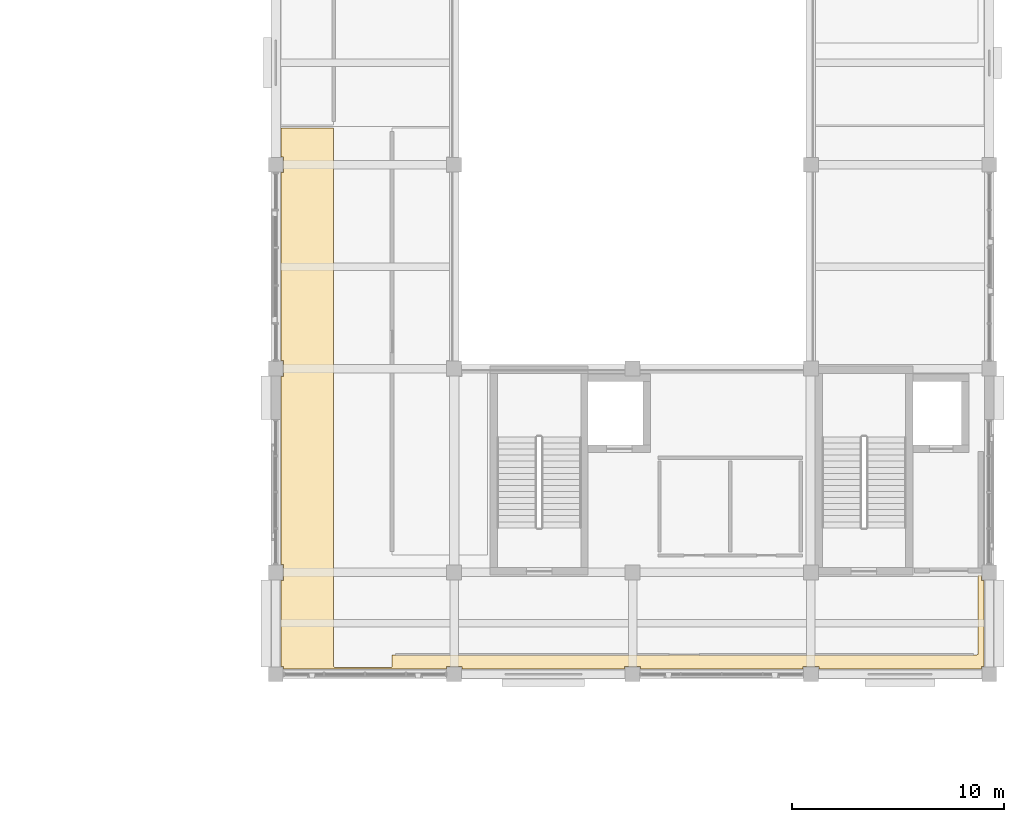
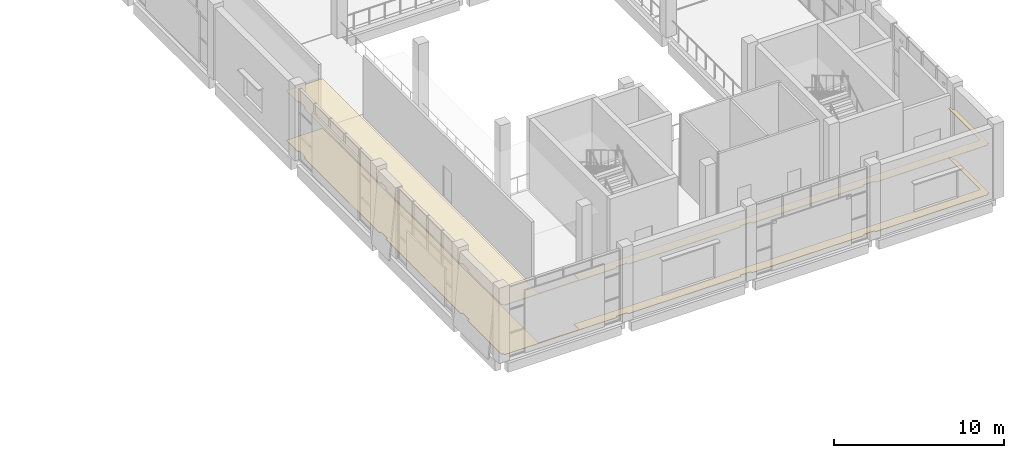
# One storey, part 69 of 72: 2 coverings.
"""IFC4 building model written with IfcOpenShell, lengths in metres."""

from ifc_helpers import new_model, si_unit, direction, frame, origin, place, context, subcontext, project, spatial, polyline, outline, extrude, material, layer, layer_set, type_object, element, save


model = new_model("IFC4")

# Units and contexts
model_context = context("Model", 3, precision=1e-05, world=origin(), true_north=direction((0.0, 1.0)))
body_context = subcontext(model_context, "Body", "Model", "MODEL_VIEW")
ifc_project = project(units=[si_unit("LENGTHUNIT", "METRE"), si_unit("AREAUNIT", "SQUARE_METRE"), si_unit("VOLUMEUNIT", "CUBIC_METRE"), si_unit("PLANEANGLEUNIT", "RADIAN"), si_unit("MASSUNIT", "GRAM", prefix="KILO")], contexts=[model_context])

# Site, building, storey
site_placement = place(None, origin())
site = spatial("IfcSite", under=ifc_project, at=site_placement, CompositionType="ELEMENT")
building_placement = place(site_placement, origin())
building = spatial("IfcBuilding", under=site, at=building_placement, Name="Shalvenor Court Art Gallery", CompositionType="ELEMENT")
storey_placement = place(building_placement, frame((0.0, 0.0, 11.39990234375)))
storey = spatial("IfcBuildingStorey", under=building, at=storey_placement, Name="L02", CompositionType="ELEMENT", Elevation=11.39990234375)

# Coverings
ifc_material_1 = material(Name="Perforated acoustic gypsum gallery ceiling", Category="other")
ifc_layer_1 = layer(ifc_material_1, 0.044921875, Name="Perforated acoustic gypsum gallery ceiling")
ifc_layer_set_1 = layer_set([ifc_layer_1], Name="Perforated acoustic gypsum gallery ceiling")
covering_type_1 = type_object("IfcCoveringType", Name="CLG-01", PredefinedType="CEILING", material=ifc_layer_set_1)
covering_1_placement = place(storey_placement, frame((0.0, 0.0, 3.550048828125)))
element("IfcCovering", 1, at=covering_1_placement, inside=storey, type_object=covering_type_1, Name="L02 Permanent Painting Gallery Acoustic Ceiling", PredefinedType="CEILING", context=body_context, shape_type="SweptSolid", body=[
    extrude(outline(polyline([(145.5205078125, 45.9921875), (145.521484375, 45.984375), (145.5234375, 45.976806640625), (145.526123046875, 45.969482421875), (145.529296875, 45.96240234375), (145.533447265625, 45.95556640625), (145.5380859375, 45.94921875), (145.54345703125, 45.943359375), (145.54931640625, 45.938232421875), (145.5556640625, 45.93359375), (145.562255859375, 45.929443359375), (145.5693359375, 45.926025390625), (145.576904296875, 45.92333984375), (145.58447265625, 45.92138671875), (145.59228515625, 45.92041015625), (145.60009765625, 45.919921875), (148.199951171875, 45.919921875), (148.207763671875, 45.92041015625), (148.215576171875, 45.92138671875), (148.22314453125, 45.92333984375), (148.230712890625, 45.926025390625), (148.23779296875, 45.929443359375), (148.244384765625, 45.93359375), (148.250732421875, 45.938232421875), (148.256591796875, 45.943359375), (148.26171875, 45.94921875), (148.2666015625, 45.95556640625), (148.2705078125, 45.96240234375), (148.27392578125, 45.969482421875), (148.276611328125, 45.976806640625), (148.278564453125, 45.984375), (148.279541015625, 45.9921875), (148.280029296875, 46.0), (148.280029296875, 46.52001953125), (175.800048828125, 46.52001953125), (175.807861328125, 46.5205078125), (175.815673828125, 46.521484375), (175.8232421875, 46.5234375), (175.83056640625, 46.526123046875), (175.837646484375, 46.529296875), (175.844482421875, 46.533447265625), (175.850830078125, 46.5380859375), (175.856689453125, 46.54345703125), (175.86181640625, 46.54931640625), (175.866455078125, 46.5556640625), (175.87060546875, 46.562255859375), (175.873779296875, 46.5693359375), (175.876708984375, 46.576904296875), (175.87841796875, 46.58447265625), (175.879638671875, 46.59228515625), (175.8798828125, 46.60009765625), (175.8798828125, 50.280029296875), (176.0, 50.280029296875), (176.021484375, 50.281005859375), (176.030029296875, 50.2822265625), (176.030029296875, 50.030029296875), (176.14990234375, 50.030029296875), (176.14990234375, 45.969970703125), (176.030029296875, 45.969970703125), (176.030029296875, 45.85009765625), (168.3701171875, 45.85009765625), (168.3701171875, 45.969970703125), (167.6298828125, 45.969970703125), (167.6298828125, 45.85009765625), (159.969970703125, 45.85009765625), (159.969970703125, 45.969970703125), (159.22998046875, 45.969970703125), (159.22998046875, 45.85009765625), (151.570068359375, 45.85009765625), (151.570068359375, 45.969970703125), (150.830078125, 45.969970703125), (150.830078125, 45.85009765625), (143.169921875, 45.85009765625), (143.169921875, 45.969970703125), (143.050048828125, 45.969970703125), (143.050048828125, 50.030029296875), (143.169921875, 50.030029296875), (143.169921875, 50.77001953125), (143.050048828125, 50.77001953125), (143.050048828125, 59.6298828125), (143.169921875, 59.6298828125), (143.169921875, 60.3701171875), (143.050048828125, 60.3701171875), (143.050048828125, 69.22998046875), (143.169921875, 69.22998046875), (143.169921875, 69.969970703125), (143.050048828125, 69.969970703125), (143.050048828125, 71.320068359375), (145.52001953125, 71.320068359375), (145.52001953125, 46.0), (145.5205078125, 45.9921875)])), origin(), (0.0, 0.0, 1.0), 0.045166015625),
])
ifc_material_2 = material(Name="Quarter-sawn white oak gallery flooring", Category="wood")
ifc_layer_2 = layer(ifc_material_2, 0.031982421875, Name="Quarter-sawn white oak gallery flooring")
ifc_layer_set_2 = layer_set([ifc_layer_2], Name="Quarter-sawn white oak gallery flooring")
covering_type_2 = type_object("IfcCoveringType", Name="FLR-02", PredefinedType="FLOORING", material=ifc_layer_set_2)
covering_2_placement = place(storey_placement, origin())
element("IfcCovering", 2, at=covering_2_placement, inside=storey, type_object=covering_type_2, Name="L02 Permanent Painting Gallery Flooring", PredefinedType="FLOORING", context=body_context, shape_type="SweptSolid", body=[
    extrude(outline(polyline([(145.5205078125, 45.9921875), (145.521484375, 45.984375), (145.5234375, 45.976806640625), (145.526123046875, 45.969482421875), (145.529296875, 45.96240234375), (145.533447265625, 45.95556640625), (145.5380859375, 45.94921875), (145.54345703125, 45.943359375), (145.54931640625, 45.938232421875), (145.5556640625, 45.93359375), (145.562255859375, 45.929443359375), (145.5693359375, 45.926025390625), (145.576904296875, 45.92333984375), (145.58447265625, 45.92138671875), (145.59228515625, 45.92041015625), (145.60009765625, 45.919921875), (148.199951171875, 45.919921875), (148.207763671875, 45.92041015625), (148.215576171875, 45.92138671875), (148.22314453125, 45.92333984375), (148.230712890625, 45.926025390625), (148.23779296875, 45.929443359375), (148.244384765625, 45.93359375), (148.250732421875, 45.938232421875), (148.256591796875, 45.943359375), (148.26171875, 45.94921875), (148.2666015625, 45.95556640625), (148.2705078125, 45.96240234375), (148.27392578125, 45.969482421875), (148.276611328125, 45.976806640625), (148.278564453125, 45.984375), (148.279541015625, 45.9921875), (148.280029296875, 46.0), (148.280029296875, 46.52001953125), (175.800048828125, 46.52001953125), (175.807861328125, 46.5205078125), (175.815673828125, 46.521484375), (175.8232421875, 46.5234375), (175.83056640625, 46.526123046875), (175.837646484375, 46.529296875), (175.844482421875, 46.533447265625), (175.850830078125, 46.5380859375), (175.856689453125, 46.54345703125), (175.86181640625, 46.54931640625), (175.866455078125, 46.5556640625), (175.87060546875, 46.562255859375), (175.873779296875, 46.5693359375), (175.876708984375, 46.576904296875), (175.87841796875, 46.58447265625), (175.879638671875, 46.59228515625), (175.8798828125, 46.60009765625), (175.8798828125, 50.280029296875), (176.0, 50.280029296875), (176.021484375, 50.281005859375), (176.030029296875, 50.2822265625), (176.030029296875, 50.030029296875), (176.14990234375, 50.030029296875), (176.14990234375, 45.969970703125), (176.030029296875, 45.969970703125), (176.030029296875, 45.85009765625), (168.3701171875, 45.85009765625), (168.3701171875, 45.969970703125), (167.6298828125, 45.969970703125), (167.6298828125, 45.85009765625), (159.969970703125, 45.85009765625), (159.969970703125, 45.969970703125), (159.22998046875, 45.969970703125), (159.22998046875, 45.85009765625), (151.570068359375, 45.85009765625), (151.570068359375, 45.969970703125), (150.830078125, 45.969970703125), (150.830078125, 45.85009765625), (143.169921875, 45.85009765625), (143.169921875, 45.969970703125), (143.050048828125, 45.969970703125), (143.050048828125, 50.030029296875), (143.169921875, 50.030029296875), (143.169921875, 50.77001953125), (143.050048828125, 50.77001953125), (143.050048828125, 59.6298828125), (143.169921875, 59.6298828125), (143.169921875, 60.3701171875), (143.050048828125, 60.3701171875), (143.050048828125, 69.22998046875), (143.169921875, 69.22998046875), (143.169921875, 69.969970703125), (143.050048828125, 69.969970703125), (143.050048828125, 71.320068359375), (145.52001953125, 71.320068359375), (145.52001953125, 46.0), (145.5205078125, 45.9921875)])), origin(), (0.0, 0.0, 1.0), 0.031982421875),
])

save(model, "model.ifc")
